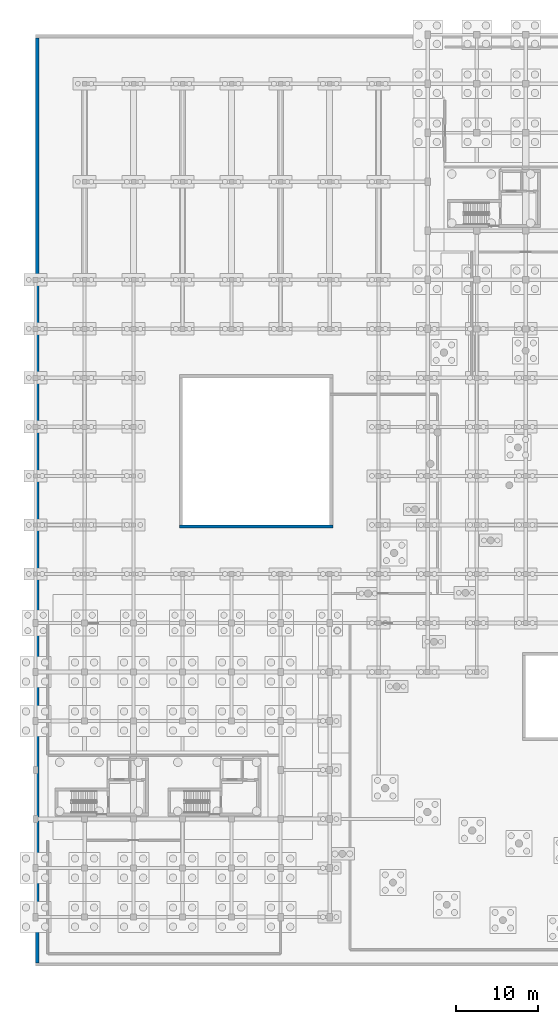
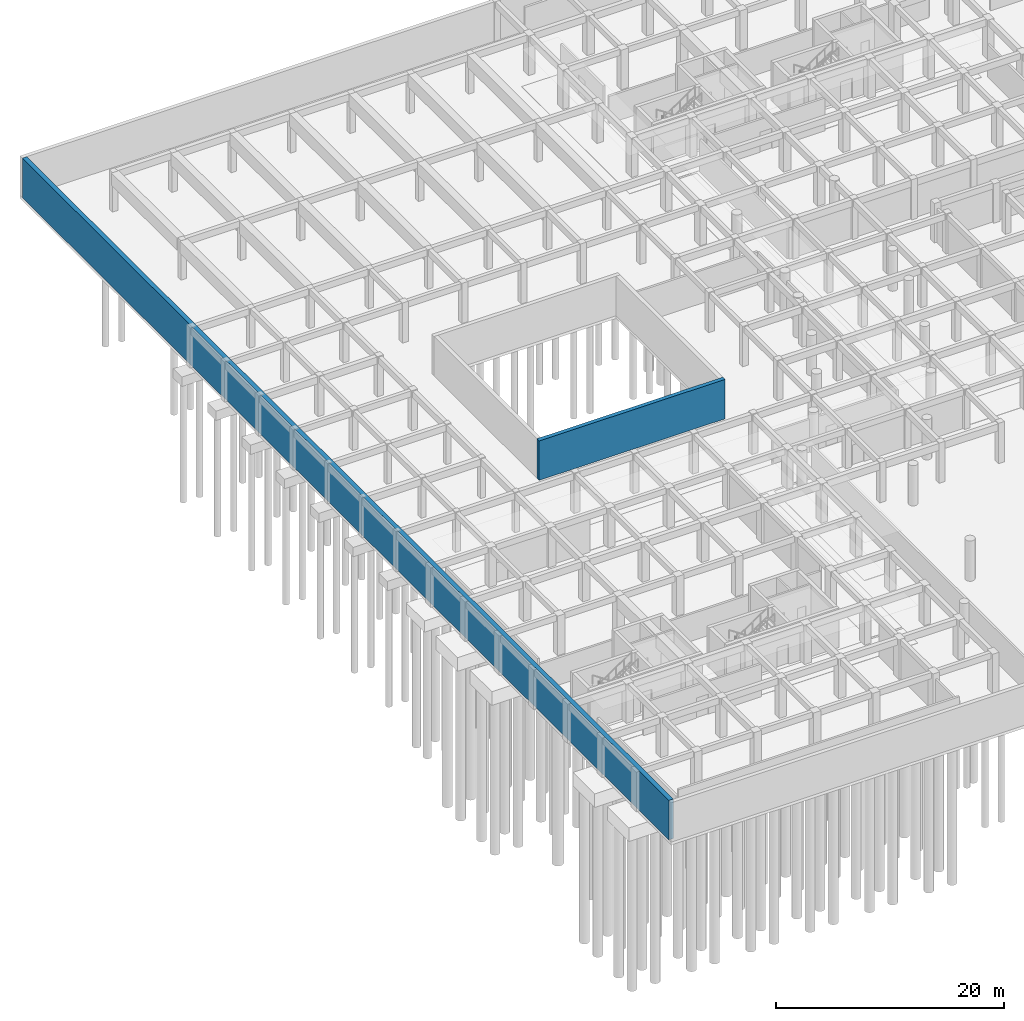
# One storey, part 24 of 41: 2 walls.
"""IFC4 building model written with IfcOpenShell, lengths in metres."""

from ifc_helpers import new_model, si_unit, direction, frame, frame_2d, origin, place, context, subcontext, project, spatial, rectangle, extrude, material, layer, layer_set, type_object, element, save


model = new_model("IFC4")

# Units and contexts
model_context = context("Model", 3, precision=1e-05, world=origin(), true_north=direction((0.0, 1.0)))
body_context = subcontext(model_context, "Body", "Model", "MODEL_VIEW")
ifc_project = project(units=[si_unit("LENGTHUNIT", "METRE"), si_unit("AREAUNIT", "SQUARE_METRE"), si_unit("VOLUMEUNIT", "CUBIC_METRE"), si_unit("PLANEANGLEUNIT", "RADIAN"), si_unit("MASSUNIT", "GRAM", prefix="KILO"), si_unit("POWERUNIT", "WATT"), si_unit("THERMODYNAMICTEMPERATUREUNIT", "KELVIN")], contexts=[model_context])

# Site, building, storey
site_placement = place(None, origin())
site = spatial("IfcSite", under=ifc_project, at=site_placement, CompositionType="ELEMENT")
building_placement = place(site_placement, origin())
building = spatial("IfcBuilding", under=site, at=building_placement, Name="Ruvembo Vaulted Housing Court", CompositionType="ELEMENT")
storey_placement = place(building_placement, frame((0.0, 0.0, -4.5)))
storey = spatial("IfcBuildingStorey", under=building, at=storey_placement, Name="B1", CompositionType="ELEMENT", Elevation=-4.5)

# Walls
ifc_material = material(Name="Concrete C35/45", Category="concrete")
ifc_layer_1 = layer(ifc_material, 0.39990234375, Name="Concrete C35/45")
ifc_layer_set_1 = layer_set([ifc_layer_1], Name="Concrete C35/45")
wall_type_1 = type_object("IfcWallType", Name="WL-RET-400", PredefinedType="USERDEFINED", material=ifc_layer_set_1)
wall_1_placement = place(storey_placement, frame((17.60009765625, 53.800048828125, 0.0), z_axis=(0.0, 0.0, 1.0), x_axis=(1.0, 0.0, 0.0)))
element("IfcWall", 1, at=wall_1_placement, inside=storey, type_object=wall_type_1, Name="West Heritage Fig Court Tree-Pit Retaining Wall S", ObjectType="RETAININGWALL", PredefinedType="USERDEFINED", context=body_context, shape_type="SweptSolid", body=[
    extrude(rectangle(XDim=18.7998046875, YDim=0.39990234375, at=frame_2d((9.39990234375, 0.0))), origin(), (0.0, 0.0, 1.0), 4.215087890625),
])
ifc_layer_2 = layer(ifc_material, 0.449951171875, Name="Concrete C35/45")
ifc_layer_set_2 = layer_set([ifc_layer_2], Name="Concrete C35/45")
wall_type_2 = type_object("IfcWallType", Name="WL-RET-450", PredefinedType="USERDEFINED", material=ifc_layer_set_2)
wall_2_placement = place(storey_placement, frame((0.22509765625, 113.60009765625, 0.0), z_axis=(0.0, 0.0, 1.0), x_axis=(0.0, -1.0, 0.0)))
element("IfcWall", 2, at=wall_2_placement, inside=storey, type_object=wall_type_2, Name="Basement Perimeter Retaining Wall W", ObjectType="RETAININGWALL", PredefinedType="USERDEFINED", context=body_context, shape_type="SweptSolid", body=[
    extrude(rectangle(XDim=113.2001953125, YDim=0.449951171875, at=frame_2d((56.60009765625, 0.0))), origin(), (0.0, 0.0, 1.0), 4.215087890625),
])

save(model, "model.ifc")
